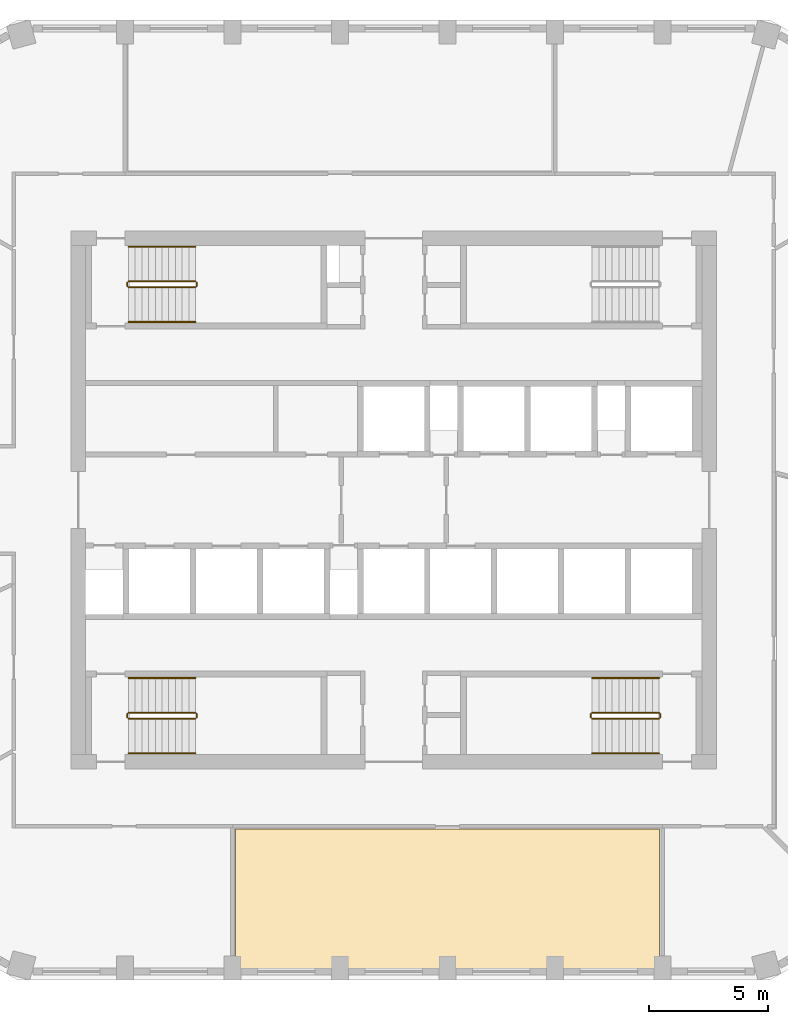
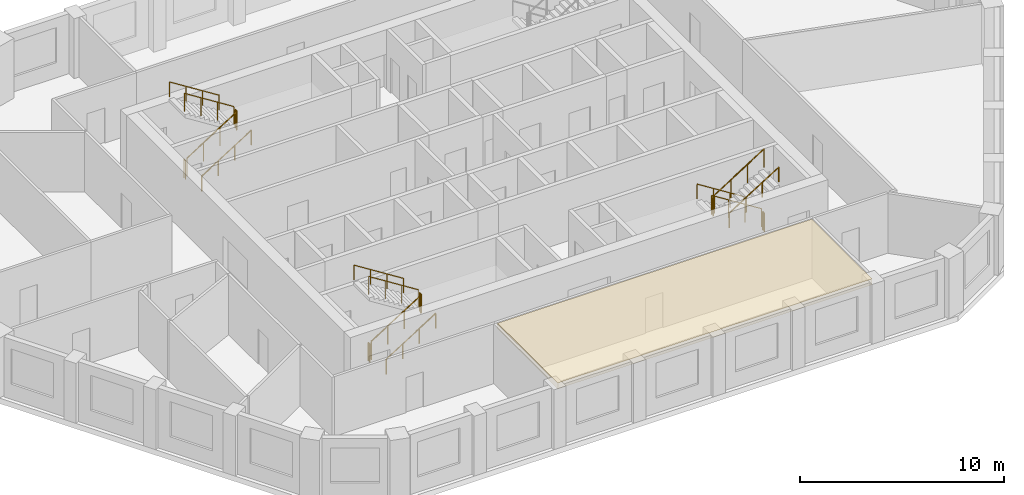
# One storey, part 8 of 10: 18 railings, 1 covering.
"""IFC4 building model written with IfcOpenShell, lengths in metres."""

from ifc_helpers import new_model, si_unit, direction, frame, origin, origin_2d, place, context, subcontext, project, spatial, polyline, circle, outline, extrude, material, layer, layer_set, type_object, element, save


model = new_model("IFC4")

# Units and contexts
model_context = context("Model", 3, precision=1e-05, world=origin(), true_north=direction((0.0, 1.0)))
body_context = subcontext(model_context, "Body", "Model", "MODEL_VIEW")
ifc_project = project(units=[si_unit("LENGTHUNIT", "METRE"), si_unit("AREAUNIT", "SQUARE_METRE"), si_unit("VOLUMEUNIT", "CUBIC_METRE"), si_unit("PLANEANGLEUNIT", "RADIAN"), si_unit("MASSUNIT", "GRAM", prefix="KILO")], contexts=[model_context])

# Site, building, storey
site_placement = place(None, origin())
site = spatial("IfcSite", under=ifc_project, at=site_placement, CompositionType="ELEMENT")
building_placement = place(site_placement, origin())
building = spatial("IfcBuilding", under=site, at=building_placement, Name="Dhurran Vertical Campus", CompositionType="ELEMENT")
storey_placement = place(building_placement, frame((0.0, 0.0, 243.0)))
storey = spatial("IfcBuildingStorey", under=building, at=storey_placement, Name="L60", CompositionType="ELEMENT", Elevation=243.0)

# Railings
ifc_material_1 = material(Name="Stainless steel balustrade", Category="steel")
railing_type_1 = type_object("IfcRailingType", Name="co-RL-GUARD-1100", PredefinedType="GUARDRAIL", material=ifc_material_1)
railing_1_placement = place(storey_placement, frame((-11.10009765625, 8.89990234375, 0.17724609375)))
element("IfcRailing", 1, at=railing_1_placement, inside=storey, type_object=railing_type_1, Name="L60 ST1 stair guard 1", PredefinedType="GUARDRAIL", context=body_context, shape_type="SweptSolid", body=[
    extrude(circle(Radius=0.02392578125, at=origin_2d()), frame((0.0, 0.0, 1.076171875), z_axis=(0.844908973607, 0.0, 0.534910110503), x_axis=(0.0, 1.0, 0.0)), (0.0, 0.0, 1.0), 3.31396484375),
    extrude(circle(Radius=0.02099609375, at=origin_2d()), origin(), (0.0, 0.0, 1.0), 1.052001953125),
    extrude(circle(Radius=0.02099609375, at=origin_2d()), frame((0.933349609375, 0.0, 0.5908203125)), (0.0, 0.0, 1.0), 1.052001953125),
    extrude(circle(Radius=0.02099609375, at=origin_2d()), frame((1.86669921875, 0.0, 1.181884765625)), (0.0, 0.0, 1.0), 1.052001953125),
    extrude(circle(Radius=0.02099609375, at=origin_2d()), frame((2.800048828125, 0.0, 1.772705078125)), (0.0, 0.0, 1.0), 1.052001953125),
])
railing_2_placement = place(storey_placement, frame((-8.25, 8.949951171875, 1.949951171875)))
element("IfcRailing", 2, at=railing_2_placement, inside=storey, type_object=railing_type_1, Name="L60 ST1 stair guard 2", PredefinedType="GUARDRAIL", context=body_context, shape_type="SweptSolid", body=[
    extrude(circle(Radius=0.02392578125, at=origin_2d()), frame((0.0, 0.0, 1.076171875), z_axis=(0.0, 1.0, 0.0), x_axis=(-1.0, 0.0, 0.0)), (0.0, 0.0, 1.0), 0.150146484375),
    extrude(circle(Radius=0.02099609375, at=origin_2d()), origin(), (0.0, 0.0, 1.0), 1.052001953125),
    extrude(circle(Radius=0.02099609375, at=origin_2d()), frame((0.0, 0.150146484375, 0.0)), (0.0, 0.0, 1.0), 1.052001953125),
])
railing_3_placement = place(storey_placement, frame((-8.300048828125, 9.14990234375, 2.127197265625)))
element("IfcRailing", 3, at=railing_3_placement, inside=storey, type_object=railing_type_1, Name="L60 ST1 stair guard 3", PredefinedType="GUARDRAIL", context=body_context, shape_type="SweptSolid", body=[
    extrude(circle(Radius=0.02392578125, at=origin_2d()), frame((0.0, 0.0, 1.076171875), z_axis=(-0.844908973607, 0.0, 0.534910110503), x_axis=(0.0, -1.0, 0.0)), (0.0, 0.0, 1.0), 3.31396484375),
    extrude(circle(Radius=0.02099609375, at=origin_2d()), origin(), (0.0, 0.0, 1.0), 1.052001953125),
    extrude(circle(Radius=0.02099609375, at=origin_2d()), frame((-0.933349609375, 0.0, 0.5908203125)), (0.0, 0.0, 1.0), 1.052001953125),
    extrude(circle(Radius=0.02099609375, at=origin_2d()), frame((-1.86669921875, 0.0, 1.181884765625)), (0.0, 0.0, 1.0), 1.052001953125),
    extrude(circle(Radius=0.02099609375, at=origin_2d()), frame((-2.800048828125, 0.0, 1.772705078125)), (0.0, 0.0, 1.0), 1.052001953125),
])
railing_4_placement = place(storey_placement, frame((-11.14990234375, 8.949951171875, 0.0)))
element("IfcRailing", 4, at=railing_4_placement, inside=storey, type_object=railing_type_1, Name="L60 ST1 stair guard 4", PredefinedType="GUARDRAIL", context=body_context, shape_type="SweptSolid", body=[
    extrude(circle(Radius=0.02392578125, at=origin_2d()), frame((0.0, 0.0, 1.076171875), z_axis=(0.0, 1.0, 0.0), x_axis=(-1.0, 0.0, 0.0)), (0.0, 0.0, 1.0), 0.150146484375),
    extrude(circle(Radius=0.02099609375, at=origin_2d()), origin(), (0.0, 0.0, 1.0), 1.052001953125),
    extrude(circle(Radius=0.02099609375, at=origin_2d()), frame((0.0, 0.150146484375, 0.0)), (0.0, 0.0, 1.0), 1.052001953125),
])
railing_5_placement = place(storey_placement, frame((-11.10009765625, -9.14990234375, 0.17724609375)))
element("IfcRailing", 5, at=railing_5_placement, inside=storey, type_object=railing_type_1, Name="L60 ST3 stair guard 1", PredefinedType="GUARDRAIL", context=body_context, shape_type="SweptSolid", body=[
    extrude(circle(Radius=0.02392578125, at=origin_2d()), frame((0.0, 0.0, 1.076171875), z_axis=(0.844908973607, 0.0, 0.534910110503), x_axis=(0.0, 1.0, 0.0)), (0.0, 0.0, 1.0), 3.31396484375),
    extrude(circle(Radius=0.02099609375, at=origin_2d()), origin(), (0.0, 0.0, 1.0), 1.052001953125),
    extrude(circle(Radius=0.02099609375, at=origin_2d()), frame((0.933349609375, 0.0, 0.5908203125)), (0.0, 0.0, 1.0), 1.052001953125),
    extrude(circle(Radius=0.02099609375, at=origin_2d()), frame((1.86669921875, 0.0, 1.181884765625)), (0.0, 0.0, 1.0), 1.052001953125),
    extrude(circle(Radius=0.02099609375, at=origin_2d()), frame((2.800048828125, 0.0, 1.772705078125)), (0.0, 0.0, 1.0), 1.052001953125),
])
railing_6_placement = place(storey_placement, frame((-8.25, -9.10009765625, 1.949951171875)))
element("IfcRailing", 6, at=railing_6_placement, inside=storey, type_object=railing_type_1, Name="L60 ST3 stair guard 2", PredefinedType="GUARDRAIL", context=body_context, shape_type="SweptSolid", body=[
    extrude(circle(Radius=0.02392578125, at=origin_2d()), frame((0.0, 0.0, 1.076171875), z_axis=(0.0, 1.0, 0.0), x_axis=(-1.0, 0.0, 0.0)), (0.0, 0.0, 1.0), 0.150146484375),
    extrude(circle(Radius=0.02099609375, at=origin_2d()), origin(), (0.0, 0.0, 1.0), 1.052001953125),
    extrude(circle(Radius=0.02099609375, at=origin_2d()), frame((0.0, 0.150146484375, 0.0)), (0.0, 0.0, 1.0), 1.052001953125),
])
railing_7_placement = place(storey_placement, frame((-8.300048828125, -8.89990234375, 2.127197265625)))
element("IfcRailing", 7, at=railing_7_placement, inside=storey, type_object=railing_type_1, Name="L60 ST3 stair guard 3", PredefinedType="GUARDRAIL", context=body_context, shape_type="SweptSolid", body=[
    extrude(circle(Radius=0.02392578125, at=origin_2d()), frame((0.0, 0.0, 1.076171875), z_axis=(-0.844908973607, 0.0, 0.534910110503), x_axis=(0.0, -1.0, 0.0)), (0.0, 0.0, 1.0), 3.31396484375),
    extrude(circle(Radius=0.02099609375, at=origin_2d()), origin(), (0.0, 0.0, 1.0), 1.052001953125),
    extrude(circle(Radius=0.02099609375, at=origin_2d()), frame((-0.933349609375, 0.0, 0.5908203125)), (0.0, 0.0, 1.0), 1.052001953125),
    extrude(circle(Radius=0.02099609375, at=origin_2d()), frame((-1.86669921875, 0.0, 1.181884765625)), (0.0, 0.0, 1.0), 1.052001953125),
    extrude(circle(Radius=0.02099609375, at=origin_2d()), frame((-2.800048828125, 0.0, 1.772705078125)), (0.0, 0.0, 1.0), 1.052001953125),
])
railing_8_placement = place(storey_placement, frame((-11.14990234375, -9.10009765625, 0.0)))
element("IfcRailing", 8, at=railing_8_placement, inside=storey, type_object=railing_type_1, Name="L60 ST3 stair guard 4", PredefinedType="GUARDRAIL", context=body_context, shape_type="SweptSolid", body=[
    extrude(circle(Radius=0.02392578125, at=origin_2d()), frame((0.0, 0.0, 1.076171875), z_axis=(0.0, 1.0, 0.0), x_axis=(-1.0, 0.0, 0.0)), (0.0, 0.0, 1.0), 0.150146484375),
    extrude(circle(Radius=0.02099609375, at=origin_2d()), origin(), (0.0, 0.0, 1.0), 1.052001953125),
    extrude(circle(Radius=0.02099609375, at=origin_2d()), frame((0.0, 0.150146484375, 0.0)), (0.0, 0.0, 1.0), 1.052001953125),
])
railing_9_placement = place(storey_placement, frame((11.10009765625, -8.89990234375, 0.17724609375)))
element("IfcRailing", 9, at=railing_9_placement, inside=storey, type_object=railing_type_1, Name="L60 ST4 stair guard 1", PredefinedType="GUARDRAIL", context=body_context, shape_type="SweptSolid", body=[
    extrude(circle(Radius=0.02392578125, at=origin_2d()), frame((0.0, 0.0, 1.076171875), z_axis=(-0.844908973607, 0.0, 0.534910110503), x_axis=(0.0, -1.0, 0.0)), (0.0, 0.0, 1.0), 3.31396484375),
    extrude(circle(Radius=0.02099609375, at=origin_2d()), origin(), (0.0, 0.0, 1.0), 1.052001953125),
    extrude(circle(Radius=0.02099609375, at=origin_2d()), frame((-0.933349609375, 0.0, 0.5908203125)), (0.0, 0.0, 1.0), 1.052001953125),
    extrude(circle(Radius=0.02099609375, at=origin_2d()), frame((-1.86669921875, 0.0, 1.181884765625)), (0.0, 0.0, 1.0), 1.052001953125),
    extrude(circle(Radius=0.02099609375, at=origin_2d()), frame((-2.800048828125, 0.0, 1.772705078125)), (0.0, 0.0, 1.0), 1.052001953125),
])
railing_10_placement = place(storey_placement, frame((8.25, -8.949951171875, 1.949951171875)))
element("IfcRailing", 10, at=railing_10_placement, inside=storey, type_object=railing_type_1, Name="L60 ST4 stair guard 2", PredefinedType="GUARDRAIL", context=body_context, shape_type="SweptSolid", body=[
    extrude(circle(Radius=0.02392578125, at=origin_2d()), frame((0.0, 0.0, 1.076171875), z_axis=(0.0, -1.0, 0.0), x_axis=(1.0, 0.0, 0.0)), (0.0, 0.0, 1.0), 0.150146484375),
    extrude(circle(Radius=0.02099609375, at=origin_2d()), origin(), (0.0, 0.0, 1.0), 1.052001953125),
    extrude(circle(Radius=0.02099609375, at=origin_2d()), frame((0.0, -0.150146484375, 0.0)), (0.0, 0.0, 1.0), 1.052001953125),
])
railing_11_placement = place(storey_placement, frame((8.300048828125, -9.14990234375, 2.127197265625)))
element("IfcRailing", 11, at=railing_11_placement, inside=storey, type_object=railing_type_1, Name="L60 ST4 stair guard 3", PredefinedType="GUARDRAIL", context=body_context, shape_type="SweptSolid", body=[
    extrude(circle(Radius=0.02392578125, at=origin_2d()), frame((0.0, 0.0, 1.076171875), z_axis=(0.844908973607, 0.0, 0.534910110503), x_axis=(0.0, 1.0, 0.0)), (0.0, 0.0, 1.0), 3.31396484375),
    extrude(circle(Radius=0.02099609375, at=origin_2d()), origin(), (0.0, 0.0, 1.0), 1.052001953125),
    extrude(circle(Radius=0.02099609375, at=origin_2d()), frame((0.933349609375, 0.0, 0.5908203125)), (0.0, 0.0, 1.0), 1.052001953125),
    extrude(circle(Radius=0.02099609375, at=origin_2d()), frame((1.86669921875, 0.0, 1.181884765625)), (0.0, 0.0, 1.0), 1.052001953125),
    extrude(circle(Radius=0.02099609375, at=origin_2d()), frame((2.800048828125, 0.0, 1.772705078125)), (0.0, 0.0, 1.0), 1.052001953125),
])
railing_12_placement = place(storey_placement, frame((11.14990234375, -8.949951171875, 0.0)))
element("IfcRailing", 12, at=railing_12_placement, inside=storey, type_object=railing_type_1, Name="L60 ST4 stair guard 4", PredefinedType="GUARDRAIL", context=body_context, shape_type="SweptSolid", body=[
    extrude(circle(Radius=0.02392578125, at=origin_2d()), frame((0.0, 0.0, 1.076171875), z_axis=(0.0, -1.0, 0.0), x_axis=(1.0, 0.0, 0.0)), (0.0, 0.0, 1.0), 0.150146484375),
    extrude(circle(Radius=0.02099609375, at=origin_2d()), origin(), (0.0, 0.0, 1.0), 1.052001953125),
    extrude(circle(Radius=0.02099609375, at=origin_2d()), frame((0.0, -0.150146484375, 0.0)), (0.0, 0.0, 1.0), 1.052001953125),
])
ifc_material_2 = material(Name="Stainless steel handrail", Category="steel")
railing_type_2 = type_object("IfcRailingType", Name="co-RL-HANDRAIL-900", PredefinedType="HANDRAIL", material=ifc_material_2)
railing_13_placement = place(storey_placement, frame((-11.10009765625, 7.449951171875, 0.17724609375)))
element("IfcRailing", 13, at=railing_13_placement, inside=storey, type_object=railing_type_2, Name="L60 ST1 stair handrail 1", PredefinedType="HANDRAIL", context=body_context, shape_type="SweptSolid", body=[
    extrude(circle(Radius=0.02392578125, at=origin_2d()), frame((0.0, 0.0, 0.8759765625), z_axis=(0.844908973607, 0.0, 0.534910110503), x_axis=(0.0, 1.0, 0.0)), (0.0, 0.0, 1.0), 3.31396484375),
    extrude(circle(Radius=0.02099609375, at=origin_2d()), origin(), (0.0, 0.0, 1.0), 0.851806640625),
    extrude(circle(Radius=0.02099609375, at=origin_2d()), frame((0.933349609375, 0.0, 0.5908203125)), (0.0, 0.0, 1.0), 0.851806640625),
    extrude(circle(Radius=0.02099609375, at=origin_2d()), frame((1.86669921875, 0.0, 1.181884765625)), (0.0, 0.0, 1.0), 0.851806640625),
    extrude(circle(Radius=0.02099609375, at=origin_2d()), frame((2.800048828125, 0.0, 1.772705078125)), (0.0, 0.0, 1.0), 0.851806640625),
])
railing_14_placement = place(storey_placement, frame((-8.300048828125, 10.60009765625, 2.127197265625)))
element("IfcRailing", 14, at=railing_14_placement, inside=storey, type_object=railing_type_2, Name="L60 ST1 stair handrail 2", PredefinedType="HANDRAIL", context=body_context, shape_type="SweptSolid", body=[
    extrude(circle(Radius=0.02392578125, at=origin_2d()), frame((0.0, 0.0, 0.8759765625), z_axis=(-0.844908973607, 0.0, 0.534910110503), x_axis=(0.0, -1.0, 0.0)), (0.0, 0.0, 1.0), 3.31396484375),
    extrude(circle(Radius=0.02099609375, at=origin_2d()), origin(), (0.0, 0.0, 1.0), 0.851806640625),
    extrude(circle(Radius=0.02099609375, at=origin_2d()), frame((-0.933349609375, 0.0, 0.5908203125)), (0.0, 0.0, 1.0), 0.851806640625),
    extrude(circle(Radius=0.02099609375, at=origin_2d()), frame((-1.86669921875, 0.0, 1.181884765625)), (0.0, 0.0, 1.0), 0.851806640625),
    extrude(circle(Radius=0.02099609375, at=origin_2d()), frame((-2.800048828125, 0.0, 1.772705078125)), (0.0, 0.0, 1.0), 0.851806640625),
])
railing_15_placement = place(storey_placement, frame((-11.10009765625, -10.60009765625, 0.17724609375)))
element("IfcRailing", 15, at=railing_15_placement, inside=storey, type_object=railing_type_2, Name="L60 ST3 stair handrail 1", PredefinedType="HANDRAIL", context=body_context, shape_type="SweptSolid", body=[
    extrude(circle(Radius=0.02392578125, at=origin_2d()), frame((0.0, 0.0, 0.8759765625), z_axis=(0.844908973607, 0.0, 0.534910110503), x_axis=(0.0, 1.0, 0.0)), (0.0, 0.0, 1.0), 3.31396484375),
    extrude(circle(Radius=0.02099609375, at=origin_2d()), origin(), (0.0, 0.0, 1.0), 0.851806640625),
    extrude(circle(Radius=0.02099609375, at=origin_2d()), frame((0.933349609375, 0.0, 0.5908203125)), (0.0, 0.0, 1.0), 0.851806640625),
    extrude(circle(Radius=0.02099609375, at=origin_2d()), frame((1.86669921875, 0.0, 1.181884765625)), (0.0, 0.0, 1.0), 0.851806640625),
    extrude(circle(Radius=0.02099609375, at=origin_2d()), frame((2.800048828125, 0.0, 1.772705078125)), (0.0, 0.0, 1.0), 0.851806640625),
])
for number, where, name in (
    (16, (-8.300048828125, -7.449951171875, 2.127197265625), "L60 ST3 stair handrail 2"),
    (17, (11.10009765625, -7.449951171875, 0.17724609375), "L60 ST4 stair handrail 1"),
):
    element("IfcRailing", number, at=place(storey_placement, frame(where)), inside=storey, type_object=railing_type_2, Name=name, PredefinedType="HANDRAIL", context=body_context, shape_type="SweptSolid", body=[
        extrude(circle(Radius=0.02392578125, at=origin_2d()), frame((0.0, 0.0, 0.8759765625), z_axis=(-0.844908973607, 0.0, 0.534910110503), x_axis=(0.0, -1.0, 0.0)), (0.0, 0.0, 1.0), 3.31396484375),
        extrude(circle(Radius=0.02099609375, at=origin_2d()), origin(), (0.0, 0.0, 1.0), 0.851806640625),
        extrude(circle(Radius=0.02099609375, at=origin_2d()), frame((-0.933349609375, 0.0, 0.5908203125)), (0.0, 0.0, 1.0), 0.851806640625),
        extrude(circle(Radius=0.02099609375, at=origin_2d()), frame((-1.86669921875, 0.0, 1.181884765625)), (0.0, 0.0, 1.0), 0.851806640625),
        extrude(circle(Radius=0.02099609375, at=origin_2d()), frame((-2.800048828125, 0.0, 1.772705078125)), (0.0, 0.0, 1.0), 0.851806640625),
    ])
railing_16_placement = place(storey_placement, frame((8.300048828125, -10.60009765625, 2.127197265625)))
element("IfcRailing", 18, at=railing_16_placement, inside=storey, type_object=railing_type_2, Name="L60 ST4 stair handrail 2", PredefinedType="HANDRAIL", context=body_context, shape_type="SweptSolid", body=[
    extrude(circle(Radius=0.02392578125, at=origin_2d()), frame((0.0, 0.0, 0.8759765625), z_axis=(0.844908973607, 0.0, 0.534910110503), x_axis=(0.0, 1.0, 0.0)), (0.0, 0.0, 1.0), 3.31396484375),
    extrude(circle(Radius=0.02099609375, at=origin_2d()), origin(), (0.0, 0.0, 1.0), 0.851806640625),
    extrude(circle(Radius=0.02099609375, at=origin_2d()), frame((0.933349609375, 0.0, 0.5908203125)), (0.0, 0.0, 1.0), 0.851806640625),
    extrude(circle(Radius=0.02099609375, at=origin_2d()), frame((1.86669921875, 0.0, 1.181884765625)), (0.0, 0.0, 1.0), 0.851806640625),
    extrude(circle(Radius=0.02099609375, at=origin_2d()), frame((2.800048828125, 0.0, 1.772705078125)), (0.0, 0.0, 1.0), 0.851806640625),
])

# Covering
ifc_material_3 = material(Name="Mineral fibre ceiling tiles on suspended grid")
ifc_layer = layer(ifc_material_3, 0.35009765625)
ifc_layer_set = layer_set([ifc_layer], Name="Mineral fibre ceiling tiles on suspended grid")
covering_type = type_object("IfcCoveringType", Name="fl-CE-350 suspended ceiling", PredefinedType="CEILING", material=ifc_layer_set)
covering_placement = place(storey_placement, frame((0.0, 0.0, 3.22509765625)))
element("IfcCovering", 19, at=covering_placement, inside=storey, type_object=covering_type, Name="Ceiling 60-10", PredefinedType="CEILING", context=body_context, shape_type="SweptSolid", body=[
    extrude(outline(polyline([(11.1298828125, -19.66796875), (-6.6298828125, -19.66796875), (-6.6298828125, -13.77001953125), (11.1298828125, -13.77001953125), (11.1298828125, -19.66796875)])), origin(), (0.0, 0.0, 1.0), 0.349853515625),
])

save(model, "model.ifc")
